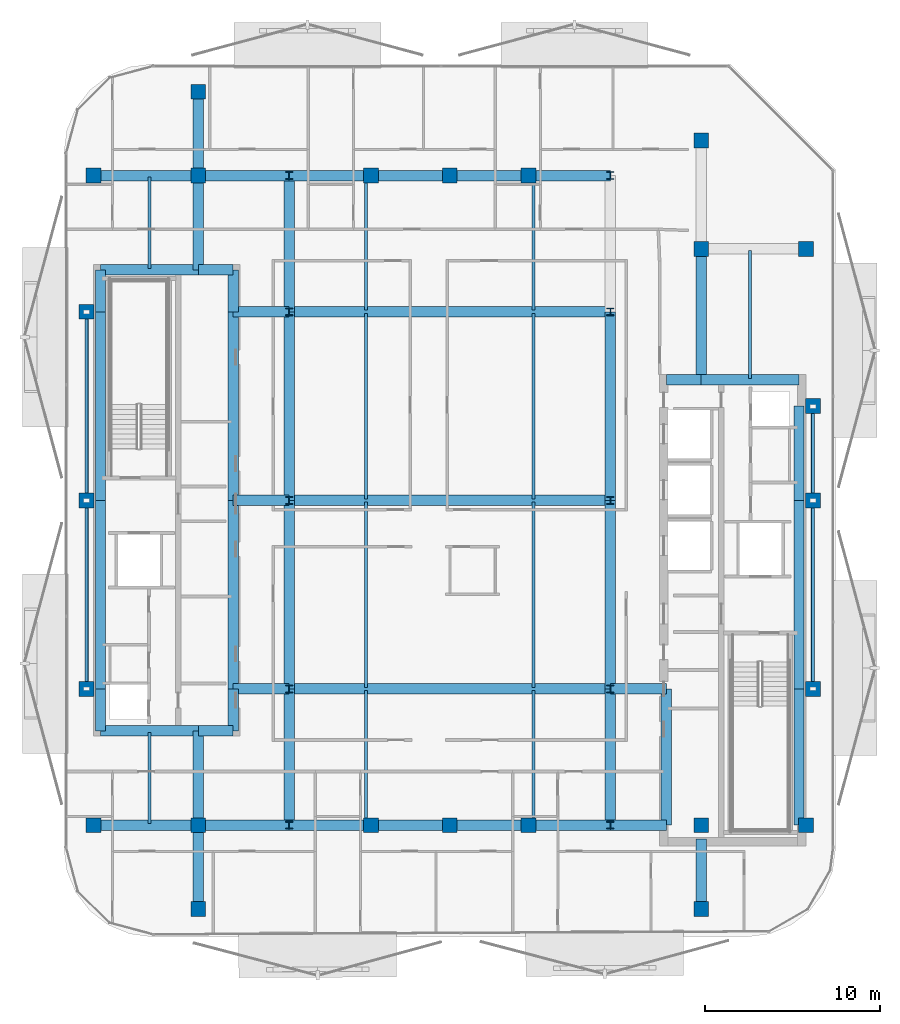
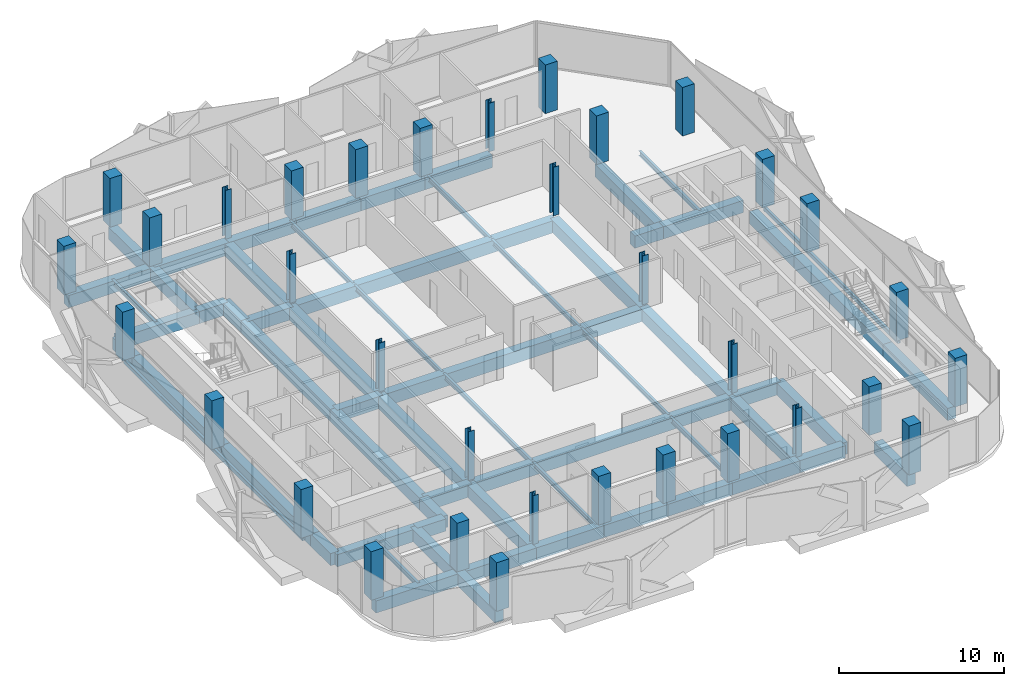
# One storey, part 1 of 16: 66 beams, 34 columns.
"""IFC4 building model written with IfcOpenShell, lengths in metres."""

from ifc_helpers import new_model, si_unit, direction, frame, origin, origin_2d, place, context, subcontext, project, spatial, rectangle, hollow_rectangle, i_section, extrude, material, material_profile, profile_set, type_object, element, save


model = new_model("IFC4")

# Units and contexts
model_context = context("Model", 3, precision=1e-05, world=origin(), true_north=direction((0.0, 1.0)))
body_context = subcontext(model_context, "Body", "Model", "MODEL_VIEW")
ifc_project = project(units=[si_unit("LENGTHUNIT", "METRE"), si_unit("AREAUNIT", "SQUARE_METRE"), si_unit("VOLUMEUNIT", "CUBIC_METRE"), si_unit("PLANEANGLEUNIT", "RADIAN"), si_unit("MASSUNIT", "GRAM", prefix="KILO")], contexts=[model_context])

# Site, building, storey
site_placement = place(None, origin())
site = spatial("IfcSite", under=ifc_project, at=site_placement, CompositionType="ELEMENT")
building_placement = place(site_placement, origin())
building = spatial("IfcBuilding", under=site, at=building_placement, Name="Khairoan Windgate Tower", CompositionType="ELEMENT")
storey_placement = place(building_placement, frame((0.0, 0.0, 247.60009765625)))
storey = spatial("IfcBuildingStorey", under=building, at=storey_placement, Name="L58", CompositionType="ELEMENT", Elevation=247.60009765625)

# Columns
ifc_material_1 = material(Name="Concrete C50/60", Category="concrete")
ifc_material_profile_1 = material_profile(ifc_material_1, rectangle(XDim=0.85009765625, YDim=0.85009765625, at=origin_2d()))
ifc_profile_set_1 = profile_set([ifc_material_profile_1], Name="Concrete C50/60")
column_type_1 = type_object("IfcColumnType", Name="Column C-T5 RC850x850", PredefinedType="COLUMN", material=ifc_profile_set_1)
for number, where, z_axis, x_axis, name in (
    (1, (-20.39990234375, -18.60009765625, 0.0), (0.0, 0.0, 1.0), (1.0, 0.0, 0.0), "Column L58-11"),
    (2, (-20.39990234375, 18.60009765625, 0.0), (0.0, 0.0, 1.0), (1.0, 0.0, 0.0), "Column L58-12"),
    (3, (20.39990234375, -18.60009765625, 0.0), (0.0, 0.0, 1.0), (1.0, 0.0, 0.0), "Column L58-13"),
    (4, (20.39990234375, 14.39990234375, 0.0), (0.0, 0.0, 1.0), (1.0, 0.0, 0.0), "Column L58-14"),
    (5, (-14.39990234375, -18.60009765625, 0.0), (0.0, 0.0, 1.0), (1.0, 0.0, 0.0), "Column L58-15"),
    (6, (-14.39990234375, 18.60009765625, 0.0), (0.0, 0.0, 1.0), (1.0, 0.0, 0.0), "Column L58-16"),
    (7, (14.39990234375, -18.60009765625, 0.0), (0.0, 0.0, 1.0), (1.0, 0.0, 0.0), "Column L58-17"),
    (8, (14.39990234375, 14.39990234375, 0.0), (0.0, 0.0, 1.0), (1.0, 0.0, 0.0), "Column L58-18"),
    (9, (-4.5, -18.60009765625, 0.0), (0.0, 0.0, 1.0), (1.0, 0.0, 0.0), "Column L58-19"),
    (10, (0.0, -18.60009765625, 0.0), (0.0, 0.0, 1.0), (1.0, 0.0, 0.0), "Column L58-20"),
    (11, (4.5, -18.60009765625, 0.0), (0.0, 0.0, 1.0), (1.0, 0.0, 0.0), "Column L58-21"),
    (12, (-4.5, 18.60009765625, 0.0), (0.0, 0.0, 1.0), (1.0, 0.0, 0.0), "Column L58-22"),
    (13, (0.0, 18.60009765625, 0.0), (0.0, 0.0, 1.0), (1.0, 0.0, 0.0), "Column L58-23"),
    (14, (4.5, 18.60009765625, 0.0), (0.0, 0.0, 1.0), (1.0, 0.0, 0.0), "Column L58-24"),
    (15, (-20.800048828125, -10.800048828125, 0.0), (0.0, 0.0, 1.0), (1.0, 0.0, 0.0), "Column L58-25"),
    (16, (-20.800048828125, 0.0, 0.0), (0.0, 0.0, 1.0), (1.0, 0.0, 0.0), "Column L58-26"),
    (17, (-20.800048828125, 10.800048828125, 0.0), (0.0, 0.0, 1.0), (1.0, 0.0, 0.0), "Column L58-27"),
    (18, (20.800048828125, -10.800048828125, 0.0), (0.0, 0.0, 1.0), (1.0, 0.0, 0.0), "Column L58-28"),
    (19, (20.800048828125, 0.0, 0.0), (0.0, 0.0, 1.0), (1.0, 0.0, 0.0), "Column L58-29"),
    (20, (20.800048828125, 5.39990234375, 0.0), (0.0, 0.0, 1.0), (1.0, 0.0, 0.0), "Column L58-30"),
    (21, (-14.39990234375, -23.39990234375, 0.0), (0.0, 0.0, 1.0), (1.0, 0.0, 0.0), "Column L58-31"),
    (22, (-14.39990234375, 23.39990234375, 0.0), (0.0, 0.0, 1.0), (1.0, 0.0, 0.0), "Column L58-32"),
    (23, (14.39990234375, -23.39990234375, 0.0), (0.0, 0.0, 1.0), (1.0, 0.0, 0.0), "Column L58-33"),
    (24, (14.39990234375, 20.60009765625, 0.0), (0.0, 0.0, 1.0), (1.0, 0.0, 0.0), "Column L58-34"),
):
    element("IfcColumn", number, at=place(storey_placement, frame(where, z_axis=z_axis, x_axis=x_axis)), inside=storey, type_object=column_type_1, Name=name, PredefinedType="COLUMN", context=body_context, shape_type="SweptSolid", body=[
        extrude(rectangle(XDim=0.85009765625, YDim=0.85009765625, at=origin_2d()), origin(), (0.0, 0.0, 1.0), 3.599853515625),
    ])
ifc_material_2 = material(Name="Steel S355", Category="steel")
ifc_material_profile_2 = material_profile(ifc_material_2, i_section(OverallWidth=0.406982421875, OverallDepth=0.427978515625, WebThickness=0.02001953125, FlangeThickness=0.034912109375, FilletRadius=0.02197265625, at=origin_2d()))
ifc_profile_set_2 = profile_set([ifc_material_profile_2], Name="Steel S355")
column_type_2 = type_object("IfcColumnType", Name="Steel Column SC3 H428x407x20x35", PredefinedType="COLUMN", material=ifc_profile_set_2)
for number, where, z_axis, x_axis, name in (
    (25, (-9.199951171875, -18.60009765625, 0.0), (0.0, 0.0, 1.0), (1.0, 0.0, 0.0), "Column L58-01"),
    (26, (-9.199951171875, -10.800048828125, 0.0), (0.0, 0.0, 1.0), (1.0, 0.0, 0.0), "Column L58-02"),
    (27, (-9.199951171875, 0.0, 0.0), (0.0, 0.0, 1.0), (1.0, 0.0, 0.0), "Column L58-03"),
    (28, (-9.199951171875, 10.800048828125, 0.0), (0.0, 0.0, 1.0), (1.0, 0.0, 0.0), "Column L58-04"),
    (29, (-9.199951171875, 18.60009765625, 0.0), (0.0, 0.0, 1.0), (1.0, 0.0, 0.0), "Column L58-05"),
    (30, (9.199951171875, -18.60009765625, 0.0), (0.0, 0.0, 1.0), (1.0, 0.0, 0.0), "Column L58-06"),
    (31, (9.199951171875, -10.800048828125, 0.0), (0.0, 0.0, 1.0), (1.0, 0.0, 0.0), "Column L58-07"),
    (32, (9.199951171875, 0.0, 0.0), (0.0, 0.0, 1.0), (1.0, 0.0, 0.0), "Column L58-08"),
    (33, (9.199951171875, 10.800048828125, 0.0), (0.0, 0.0, 1.0), (1.0, 0.0, 0.0), "Column L58-09"),
    (34, (9.199951171875, 18.60009765625, 0.0), (0.0, 0.0, 1.0), (1.0, 0.0, 0.0), "Column L58-10"),
):
    element("IfcColumn", number, at=place(storey_placement, frame(where, z_axis=z_axis, x_axis=x_axis)), inside=storey, type_object=column_type_2, Name=name, PredefinedType="COLUMN", context=body_context, shape_type="SweptSolid", body=[
        extrude(i_section(OverallWidth=0.406982421875, OverallDepth=0.427978515625, WebThickness=0.02001953125, FlangeThickness=0.034912109375, FilletRadius=0.02197265625, at=origin_2d()), origin(), (0.0, 0.0, 1.0), 3.599853515625),
    ])

# Beams
ifc_material_3 = material(Name="Concrete C50/60", Category="concrete")
ifc_material_profile_3 = material_profile(ifc_material_3, rectangle(XDim=0.60009765625, YDim=0.89990234375, at=origin_2d()))
ifc_profile_set_3 = profile_set([ifc_material_profile_3], Name="Concrete C50/60")
beam_type_1 = type_object("IfcBeamType", Name="Beam B-RC1 RC600x900", PredefinedType="BEAM", material=ifc_profile_set_3)
beam_1_placement = place(storey_placement, frame((-20.39990234375, -18.60009765625, -0.710205078125), z_axis=(1.0, 0.0, 0.0), x_axis=(0.0, 1.0, 0.0)))
element("IfcBeam", 35, at=beam_1_placement, inside=storey, type_object=beam_type_1, Name="L58 E-W Primary Girder 01", PredefinedType="BEAM", context=body_context, shape_type="SweptSolid", body=[
    extrude(rectangle(XDim=0.60009765625, YDim=0.89990234375, at=origin_2d()), origin(), (0.0, 0.0, 1.0), 6.0),
])
beam_2_placement = place(storey_placement, frame((-14.39990234375, -18.60009765625, -0.710205078125), z_axis=(1.0, 0.0, 0.0), x_axis=(0.0, 1.0, 0.0)))
element("IfcBeam", 36, at=beam_2_placement, inside=storey, type_object=beam_type_1, Name="L58 E-W Primary Girder 02", PredefinedType="BEAM", context=body_context, shape_type="SweptSolid", body=[
    extrude(rectangle(XDim=0.60009765625, YDim=0.89990234375, at=origin_2d()), origin(), (0.0, 0.0, 1.0), 5.199951171875),
])
beam_3_placement = place(storey_placement, frame((-9.199951171875, -18.60009765625, -0.710205078125), z_axis=(1.0, 0.0, 0.0), x_axis=(0.0, 1.0, 0.0)))
element("IfcBeam", 37, at=beam_3_placement, inside=storey, type_object=beam_type_1, Name="L58 E-W Primary Girder 03", PredefinedType="BEAM", context=body_context, shape_type="SweptSolid", body=[
    extrude(rectangle(XDim=0.60009765625, YDim=0.89990234375, at=origin_2d()), origin(), (0.0, 0.0, 1.0), 4.699951171875),
])
for number, where, z_axis, x_axis, name in (
    (38, (-4.5, -18.60009765625, -0.710205078125), (1.0, 0.0, 0.0), (0.0, 1.0, 0.0), "L58 E-W Primary Girder 04"),
    (39, (0.0, -18.60009765625, -0.710205078125), (1.0, 0.0, 0.0), (0.0, 1.0, 0.0), "L58 E-W Primary Girder 05"),
):
    element("IfcBeam", number, at=place(storey_placement, frame(where, z_axis=z_axis, x_axis=x_axis)), inside=storey, type_object=beam_type_1, Name=name, PredefinedType="BEAM", context=body_context, shape_type="SweptSolid", body=[
        extrude(rectangle(XDim=0.60009765625, YDim=0.89990234375, at=origin_2d()), origin(), (0.0, 0.0, 1.0), 4.5),
    ])
beam_4_placement = place(storey_placement, frame((4.5, -18.60009765625, -0.710205078125), z_axis=(1.0, 0.0, 0.0), x_axis=(0.0, 1.0, 0.0)))
element("IfcBeam", 40, at=beam_4_placement, inside=storey, type_object=beam_type_1, Name="L58 E-W Primary Girder 06", PredefinedType="BEAM", context=body_context, shape_type="SweptSolid", body=[
    extrude(rectangle(XDim=0.60009765625, YDim=0.89990234375, at=origin_2d()), origin(), (0.0, 0.0, 1.0), 4.699951171875),
])
beam_5_placement = place(storey_placement, frame((9.199951171875, -18.60009765625, -0.710205078125), z_axis=(1.0, 0.0, 0.0), x_axis=(0.0, 1.0, 0.0)))
element("IfcBeam", 41, at=beam_5_placement, inside=storey, type_object=beam_type_1, Name="L58 E-W Primary Girder 07", PredefinedType="BEAM", context=body_context, shape_type="SweptSolid", body=[
    extrude(rectangle(XDim=0.60009765625, YDim=0.89990234375, at=origin_2d()), origin(), (0.0, 0.0, 1.0), 3.199951171875),
])
beam_6_placement = place(storey_placement, frame((-20.0, -13.199951171875, -0.710205078125), z_axis=(1.0, 0.0, 0.0), x_axis=(0.0, 1.0, 0.0)))
element("IfcBeam", 42, at=beam_6_placement, inside=storey, type_object=beam_type_1, Name="L58 E-W Primary Girder 08", PredefinedType="BEAM", context=body_context, shape_type="SweptSolid", body=[
    extrude(rectangle(XDim=0.60009765625, YDim=0.89990234375, at=origin_2d()), origin(), (0.0, 0.0, 1.0), 5.60009765625),
])
beam_7_placement = place(storey_placement, frame((-14.39990234375, -13.199951171875, -0.710205078125), z_axis=(1.0, 0.0, 0.0), x_axis=(0.0, 1.0, 0.0)))
element("IfcBeam", 43, at=beam_7_placement, inside=storey, type_object=beam_type_1, Name="L58 E-W Primary Girder 09", PredefinedType="BEAM", context=body_context, shape_type="SweptSolid", body=[
    extrude(rectangle(XDim=0.60009765625, YDim=0.89990234375, at=origin_2d()), origin(), (0.0, 0.0, 1.0), 2.0),
])
beam_8_placement = place(storey_placement, frame((-12.39990234375, -10.800048828125, -0.710205078125), z_axis=(1.0, 0.0, 0.0), x_axis=(0.0, 1.0, 0.0)))
element("IfcBeam", 44, at=beam_8_placement, inside=storey, type_object=beam_type_1, Name="L58 E-W Primary Girder 10", PredefinedType="BEAM", context=body_context, shape_type="SweptSolid", body=[
    extrude(rectangle(XDim=0.60009765625, YDim=0.89990234375, at=origin_2d()), origin(), (0.0, 0.0, 1.0), 3.199951171875),
])
beam_9_placement = place(storey_placement, frame((-9.199951171875, -10.800048828125, -0.710205078125), z_axis=(1.0, 0.0, 0.0), x_axis=(0.0, 1.0, 0.0)))
element("IfcBeam", 45, at=beam_9_placement, inside=storey, type_object=beam_type_1, Name="L58 E-W Primary Girder 11", PredefinedType="BEAM", context=body_context, shape_type="SweptSolid", body=[
    extrude(rectangle(XDim=0.60009765625, YDim=0.89990234375, at=origin_2d()), origin(), (0.0, 0.0, 1.0), 18.39990234375),
])
for number, where, z_axis, x_axis, name in (
    (46, (9.199951171875, -10.800048828125, -0.710205078125), (1.0, 0.0, 0.0), (0.0, 1.0, 0.0), "L58 E-W Primary Girder 12"),
    (47, (-12.39990234375, 0.0, -0.710205078125), (1.0, 0.0, 0.0), (0.0, 1.0, 0.0), "L58 E-W Primary Girder 13"),
):
    element("IfcBeam", number, at=place(storey_placement, frame(where, z_axis=z_axis, x_axis=x_axis)), inside=storey, type_object=beam_type_1, Name=name, PredefinedType="BEAM", context=body_context, shape_type="SweptSolid", body=[
        extrude(rectangle(XDim=0.60009765625, YDim=0.89990234375, at=origin_2d()), origin(), (0.0, 0.0, 1.0), 3.199951171875),
    ])
beam_10_placement = place(storey_placement, frame((-9.199951171875, 0.0, -0.710205078125), z_axis=(1.0, 0.0, 0.0), x_axis=(0.0, 1.0, 0.0)))
element("IfcBeam", 48, at=beam_10_placement, inside=storey, type_object=beam_type_1, Name="L58 E-W Primary Girder 14", PredefinedType="BEAM", context=body_context, shape_type="SweptSolid", body=[
    extrude(rectangle(XDim=0.60009765625, YDim=0.89990234375, at=origin_2d()), origin(), (0.0, 0.0, 1.0), 18.39990234375),
])
beam_11_placement = place(storey_placement, frame((12.39990234375, 6.89990234375, -0.710205078125), z_axis=(1.0, 0.0, 0.0), x_axis=(0.0, 1.0, 0.0)))
element("IfcBeam", 49, at=beam_11_placement, inside=storey, type_object=beam_type_1, Name="L58 E-W Primary Girder 15", PredefinedType="BEAM", context=body_context, shape_type="SweptSolid", body=[
    extrude(rectangle(XDim=0.60009765625, YDim=0.89990234375, at=origin_2d()), origin(), (0.0, 0.0, 1.0), 2.0),
])
beam_12_placement = place(storey_placement, frame((14.39990234375, 6.89990234375, -0.710205078125), z_axis=(1.0, 0.0, 0.0), x_axis=(0.0, 1.0, 0.0)))
element("IfcBeam", 50, at=beam_12_placement, inside=storey, type_object=beam_type_1, Name="L58 E-W Primary Girder 16", PredefinedType="BEAM", context=body_context, shape_type="SweptSolid", body=[
    extrude(rectangle(XDim=0.60009765625, YDim=0.89990234375, at=origin_2d()), origin(), (0.0, 0.0, 1.0), 5.60009765625),
])
beam_13_placement = place(storey_placement, frame((-12.39990234375, 10.800048828125, -0.710205078125), z_axis=(1.0, 0.0, 0.0), x_axis=(0.0, 1.0, 0.0)))
element("IfcBeam", 51, at=beam_13_placement, inside=storey, type_object=beam_type_1, Name="L58 E-W Primary Girder 17", PredefinedType="BEAM", context=body_context, shape_type="SweptSolid", body=[
    extrude(rectangle(XDim=0.60009765625, YDim=0.89990234375, at=origin_2d()), origin(), (0.0, 0.0, 1.0), 3.199951171875),
])
beam_14_placement = place(storey_placement, frame((-9.199951171875, 10.800048828125, -0.710205078125), z_axis=(1.0, 0.0, 0.0), x_axis=(0.0, 1.0, 0.0)))
element("IfcBeam", 52, at=beam_14_placement, inside=storey, type_object=beam_type_1, Name="L58 E-W Primary Girder 18", PredefinedType="BEAM", context=body_context, shape_type="SweptSolid", body=[
    extrude(rectangle(XDim=0.60009765625, YDim=0.89990234375, at=origin_2d()), origin(), (0.0, 0.0, 1.0), 18.39990234375),
])
beam_15_placement = place(storey_placement, frame((-20.0, 13.199951171875, -0.710205078125), z_axis=(1.0, 0.0, 0.0), x_axis=(0.0, 1.0, 0.0)))
element("IfcBeam", 53, at=beam_15_placement, inside=storey, type_object=beam_type_1, Name="L58 E-W Primary Girder 19", PredefinedType="BEAM", context=body_context, shape_type="SweptSolid", body=[
    extrude(rectangle(XDim=0.60009765625, YDim=0.89990234375, at=origin_2d()), origin(), (0.0, 0.0, 1.0), 5.60009765625),
])
beam_16_placement = place(storey_placement, frame((-14.39990234375, 13.199951171875, -0.710205078125), z_axis=(1.0, 0.0, 0.0), x_axis=(0.0, 1.0, 0.0)))
element("IfcBeam", 54, at=beam_16_placement, inside=storey, type_object=beam_type_1, Name="L58 E-W Primary Girder 20", PredefinedType="BEAM", context=body_context, shape_type="SweptSolid", body=[
    extrude(rectangle(XDim=0.60009765625, YDim=0.89990234375, at=origin_2d()), origin(), (0.0, 0.0, 1.0), 2.0),
])
beam_17_placement = place(storey_placement, frame((-20.39990234375, 18.60009765625, -0.710205078125), z_axis=(1.0, 0.0, 0.0), x_axis=(0.0, 1.0, 0.0)))
element("IfcBeam", 55, at=beam_17_placement, inside=storey, type_object=beam_type_1, Name="L58 E-W Primary Girder 22", PredefinedType="BEAM", context=body_context, shape_type="SweptSolid", body=[
    extrude(rectangle(XDim=0.60009765625, YDim=0.89990234375, at=origin_2d()), origin(), (0.0, 0.0, 1.0), 6.0),
])
beam_18_placement = place(storey_placement, frame((-14.39990234375, 18.60009765625, -0.710205078125), z_axis=(1.0, 0.0, 0.0), x_axis=(0.0, 1.0, 0.0)))
element("IfcBeam", 56, at=beam_18_placement, inside=storey, type_object=beam_type_1, Name="L58 E-W Primary Girder 23", PredefinedType="BEAM", context=body_context, shape_type="SweptSolid", body=[
    extrude(rectangle(XDim=0.60009765625, YDim=0.89990234375, at=origin_2d()), origin(), (0.0, 0.0, 1.0), 5.199951171875),
])
beam_19_placement = place(storey_placement, frame((-9.199951171875, 18.60009765625, -0.710205078125), z_axis=(1.0, 0.0, 0.0), x_axis=(0.0, 1.0, 0.0)))
element("IfcBeam", 57, at=beam_19_placement, inside=storey, type_object=beam_type_1, Name="L58 E-W Primary Girder 24", PredefinedType="BEAM", context=body_context, shape_type="SweptSolid", body=[
    extrude(rectangle(XDim=0.60009765625, YDim=0.89990234375, at=origin_2d()), origin(), (0.0, 0.0, 1.0), 4.699951171875),
])
for number, where, z_axis, x_axis, name in (
    (58, (-4.5, 18.60009765625, -0.710205078125), (1.0, 0.0, 0.0), (0.0, 1.0, 0.0), "L58 E-W Primary Girder 25"),
    (59, (0.0, 18.60009765625, -0.710205078125), (1.0, 0.0, 0.0), (0.0, 1.0, 0.0), "L58 E-W Primary Girder 26"),
):
    element("IfcBeam", number, at=place(storey_placement, frame(where, z_axis=z_axis, x_axis=x_axis)), inside=storey, type_object=beam_type_1, Name=name, PredefinedType="BEAM", context=body_context, shape_type="SweptSolid", body=[
        extrude(rectangle(XDim=0.60009765625, YDim=0.89990234375, at=origin_2d()), origin(), (0.0, 0.0, 1.0), 4.5),
    ])
beam_20_placement = place(storey_placement, frame((4.5, 18.60009765625, -0.710205078125), z_axis=(1.0, 0.0, 0.0), x_axis=(0.0, 1.0, 0.0)))
element("IfcBeam", 60, at=beam_20_placement, inside=storey, type_object=beam_type_1, Name="L58 E-W Primary Girder 27", PredefinedType="BEAM", context=body_context, shape_type="SweptSolid", body=[
    extrude(rectangle(XDim=0.60009765625, YDim=0.89990234375, at=origin_2d()), origin(), (0.0, 0.0, 1.0), 4.699951171875),
])
beam_21_placement = place(storey_placement, frame((-20.0, -13.199951171875, -0.710205078125), z_axis=(0.0, 1.0, 0.0), x_axis=(-1.0, 0.0, 0.0)))
element("IfcBeam", 61, at=beam_21_placement, inside=storey, type_object=beam_type_1, Name="L58 N-S Primary Beam 30", PredefinedType="BEAM", context=body_context, shape_type="SweptSolid", body=[
    extrude(rectangle(XDim=0.60009765625, YDim=0.89990234375, at=origin_2d()), origin(), (0.0, 0.0, 1.0), 2.39990234375),
])
for number, where, z_axis, x_axis, name in (
    (62, (-20.0, -10.800048828125, -0.710205078125), (0.0, 1.0, 0.0), (-1.0, 0.0, 0.0), "L58 N-S Primary Beam 31"),
    (63, (-20.0, 0.0, -0.710205078125), (0.0, 1.0, 0.0), (-1.0, 0.0, 0.0), "L58 N-S Primary Beam 32"),
):
    element("IfcBeam", number, at=place(storey_placement, frame(where, z_axis=z_axis, x_axis=x_axis)), inside=storey, type_object=beam_type_1, Name=name, PredefinedType="BEAM", context=body_context, shape_type="SweptSolid", body=[
        extrude(rectangle(XDim=0.60009765625, YDim=0.89990234375, at=origin_2d()), origin(), (0.0, 0.0, 1.0), 10.800048828125),
    ])
beam_22_placement = place(storey_placement, frame((-20.0, 10.800048828125, -0.710205078125), z_axis=(0.0, 1.0, 0.0), x_axis=(-1.0, 0.0, 0.0)))
element("IfcBeam", 64, at=beam_22_placement, inside=storey, type_object=beam_type_1, Name="L58 N-S Primary Beam 33", PredefinedType="BEAM", context=body_context, shape_type="SweptSolid", body=[
    extrude(rectangle(XDim=0.60009765625, YDim=0.89990234375, at=origin_2d()), origin(), (0.0, 0.0, 1.0), 2.39990234375),
])
beam_23_placement = place(storey_placement, frame((-14.39990234375, -23.39990234375, -0.710205078125), z_axis=(0.0, 1.0, 0.0), x_axis=(-1.0, 0.0, 0.0)))
element("IfcBeam", 65, at=beam_23_placement, inside=storey, type_object=beam_type_1, Name="L58 N-S Primary Beam 34", PredefinedType="BEAM", context=body_context, shape_type="SweptSolid", body=[
    extrude(rectangle(XDim=0.60009765625, YDim=0.89990234375, at=origin_2d()), origin(), (0.0, 0.0, 1.0), 4.7998046875),
])
for number, where, z_axis, x_axis, name in (
    (66, (-14.39990234375, -18.60009765625, -0.710205078125), (0.0, 1.0, 0.0), (-1.0, 0.0, 0.0), "L58 N-S Primary Beam 35"),
    (67, (-14.39990234375, 13.199951171875, -0.710205078125), (0.0, 1.0, 0.0), (-1.0, 0.0, 0.0), "L58 N-S Primary Beam 36"),
):
    element("IfcBeam", number, at=place(storey_placement, frame(where, z_axis=z_axis, x_axis=x_axis)), inside=storey, type_object=beam_type_1, Name=name, PredefinedType="BEAM", context=body_context, shape_type="SweptSolid", body=[
        extrude(rectangle(XDim=0.60009765625, YDim=0.89990234375, at=origin_2d()), origin(), (0.0, 0.0, 1.0), 5.400146484375),
    ])
beam_24_placement = place(storey_placement, frame((-14.39990234375, 18.60009765625, -0.710205078125), z_axis=(0.0, 1.0, 0.0), x_axis=(-1.0, 0.0, 0.0)))
element("IfcBeam", 68, at=beam_24_placement, inside=storey, type_object=beam_type_1, Name="L58 N-S Primary Beam 37", PredefinedType="BEAM", context=body_context, shape_type="SweptSolid", body=[
    extrude(rectangle(XDim=0.60009765625, YDim=0.89990234375, at=origin_2d()), origin(), (0.0, 0.0, 1.0), 4.7998046875),
])
beam_25_placement = place(storey_placement, frame((-12.39990234375, -13.199951171875, -0.710205078125), z_axis=(0.0, 1.0, 0.0), x_axis=(-1.0, 0.0, 0.0)))
element("IfcBeam", 69, at=beam_25_placement, inside=storey, type_object=beam_type_1, Name="L58 N-S Primary Beam 38", PredefinedType="BEAM", context=body_context, shape_type="SweptSolid", body=[
    extrude(rectangle(XDim=0.60009765625, YDim=0.89990234375, at=origin_2d()), origin(), (0.0, 0.0, 1.0), 2.39990234375),
])
for number, where, z_axis, x_axis, name in (
    (70, (-12.39990234375, -10.800048828125, -0.710205078125), (0.0, 1.0, 0.0), (-1.0, 0.0, 0.0), "L58 N-S Primary Beam 39"),
    (71, (-12.39990234375, 0.0, -0.710205078125), (0.0, 1.0, 0.0), (-1.0, 0.0, 0.0), "L58 N-S Primary Beam 40"),
):
    element("IfcBeam", number, at=place(storey_placement, frame(where, z_axis=z_axis, x_axis=x_axis)), inside=storey, type_object=beam_type_1, Name=name, PredefinedType="BEAM", context=body_context, shape_type="SweptSolid", body=[
        extrude(rectangle(XDim=0.60009765625, YDim=0.89990234375, at=origin_2d()), origin(), (0.0, 0.0, 1.0), 10.800048828125),
    ])
beam_26_placement = place(storey_placement, frame((-12.39990234375, 10.800048828125, -0.710205078125), z_axis=(0.0, 1.0, 0.0), x_axis=(-1.0, 0.0, 0.0)))
element("IfcBeam", 72, at=beam_26_placement, inside=storey, type_object=beam_type_1, Name="L58 N-S Primary Beam 41", PredefinedType="BEAM", context=body_context, shape_type="SweptSolid", body=[
    extrude(rectangle(XDim=0.60009765625, YDim=0.89990234375, at=origin_2d()), origin(), (0.0, 0.0, 1.0), 2.39990234375),
])
beam_27_placement = place(storey_placement, frame((-9.199951171875, -18.60009765625, -0.710205078125), z_axis=(0.0, 1.0, 0.0), x_axis=(-1.0, 0.0, 0.0)))
element("IfcBeam", 73, at=beam_27_placement, inside=storey, type_object=beam_type_1, Name="L58 N-S Primary Beam 42", PredefinedType="BEAM", context=body_context, shape_type="SweptSolid", body=[
    extrude(rectangle(XDim=0.60009765625, YDim=0.89990234375, at=origin_2d()), origin(), (0.0, 0.0, 1.0), 7.800048828125),
])
for number, where, z_axis, x_axis, name in (
    (74, (-9.199951171875, -10.800048828125, -0.710205078125), (0.0, 1.0, 0.0), (-1.0, 0.0, 0.0), "L58 N-S Primary Beam 43"),
    (75, (-9.199951171875, 0.0, -0.710205078125), (0.0, 1.0, 0.0), (-1.0, 0.0, 0.0), "L58 N-S Primary Beam 44"),
):
    element("IfcBeam", number, at=place(storey_placement, frame(where, z_axis=z_axis, x_axis=x_axis)), inside=storey, type_object=beam_type_1, Name=name, PredefinedType="BEAM", context=body_context, shape_type="SweptSolid", body=[
        extrude(rectangle(XDim=0.60009765625, YDim=0.89990234375, at=origin_2d()), origin(), (0.0, 0.0, 1.0), 10.800048828125),
    ])
for number, where, z_axis, x_axis, name in (
    (76, (-9.199951171875, 10.800048828125, -0.710205078125), (0.0, 1.0, 0.0), (-1.0, 0.0, 0.0), "L58 N-S Primary Beam 45"),
    (77, (9.199951171875, -18.60009765625, -0.710205078125), (0.0, 1.0, 0.0), (-1.0, 0.0, 0.0), "L58 N-S Primary Beam 46"),
):
    element("IfcBeam", number, at=place(storey_placement, frame(where, z_axis=z_axis, x_axis=x_axis)), inside=storey, type_object=beam_type_1, Name=name, PredefinedType="BEAM", context=body_context, shape_type="SweptSolid", body=[
        extrude(rectangle(XDim=0.60009765625, YDim=0.89990234375, at=origin_2d()), origin(), (0.0, 0.0, 1.0), 7.800048828125),
    ])
for number, where, z_axis, x_axis, name in (
    (78, (9.199951171875, -10.800048828125, -0.710205078125), (0.0, 1.0, 0.0), (-1.0, 0.0, 0.0), "L58 N-S Primary Beam 47"),
    (79, (9.199951171875, 0.0, -0.710205078125), (0.0, 1.0, 0.0), (-1.0, 0.0, 0.0), "L58 N-S Primary Beam 48"),
):
    element("IfcBeam", number, at=place(storey_placement, frame(where, z_axis=z_axis, x_axis=x_axis)), inside=storey, type_object=beam_type_1, Name=name, PredefinedType="BEAM", context=body_context, shape_type="SweptSolid", body=[
        extrude(rectangle(XDim=0.60009765625, YDim=0.89990234375, at=origin_2d()), origin(), (0.0, 0.0, 1.0), 10.800048828125),
    ])
beam_28_placement = place(storey_placement, frame((12.39990234375, -18.60009765625, -0.710205078125), z_axis=(0.0, 1.0, 0.0), x_axis=(-1.0, 0.0, 0.0)))
element("IfcBeam", 80, at=beam_28_placement, inside=storey, type_object=beam_type_1, Name="L58 N-S Primary Beam 50", PredefinedType="BEAM", context=body_context, shape_type="SweptSolid", body=[
    extrude(rectangle(XDim=0.60009765625, YDim=0.89990234375, at=origin_2d()), origin(), (0.0, 0.0, 1.0), 7.800048828125),
])
beam_29_placement = place(storey_placement, frame((14.39990234375, -23.39990234375, -0.710205078125), z_axis=(0.0, 1.0, 0.0), x_axis=(-1.0, 0.0, 0.0)))
element("IfcBeam", 81, at=beam_29_placement, inside=storey, type_object=beam_type_1, Name="L58 N-S Primary Beam 51", PredefinedType="BEAM", context=body_context, shape_type="SweptSolid", body=[
    extrude(rectangle(XDim=0.60009765625, YDim=0.89990234375, at=origin_2d()), origin(), (0.0, 0.0, 1.0), 4.0),
])
beam_30_placement = place(storey_placement, frame((14.39990234375, 6.89990234375, -0.710205078125), z_axis=(0.0, 1.0, 0.0), x_axis=(-1.0, 0.0, 0.0)))
element("IfcBeam", 82, at=beam_30_placement, inside=storey, type_object=beam_type_1, Name="L58 N-S Primary Beam 52", PredefinedType="BEAM", context=body_context, shape_type="SweptSolid", body=[
    extrude(rectangle(XDim=0.60009765625, YDim=0.89990234375, at=origin_2d()), origin(), (0.0, 0.0, 1.0), 7.5),
])
beam_31_placement = place(storey_placement, frame((20.0, -18.60009765625, -0.710205078125), z_axis=(0.0, 1.0, 0.0), x_axis=(-1.0, 0.0, 0.0)))
element("IfcBeam", 83, at=beam_31_placement, inside=storey, type_object=beam_type_1, Name="L58 N-S Primary Beam 54", PredefinedType="BEAM", context=body_context, shape_type="SweptSolid", body=[
    extrude(rectangle(XDim=0.60009765625, YDim=0.89990234375, at=origin_2d()), origin(), (0.0, 0.0, 1.0), 7.800048828125),
])
beam_32_placement = place(storey_placement, frame((20.0, -10.800048828125, -0.710205078125), z_axis=(0.0, 1.0, 0.0), x_axis=(-1.0, 0.0, 0.0)))
element("IfcBeam", 84, at=beam_32_placement, inside=storey, type_object=beam_type_1, Name="L58 N-S Primary Beam 55", PredefinedType="BEAM", context=body_context, shape_type="SweptSolid", body=[
    extrude(rectangle(XDim=0.60009765625, YDim=0.89990234375, at=origin_2d()), origin(), (0.0, 0.0, 1.0), 10.800048828125),
])
beam_33_placement = place(storey_placement, frame((20.0, 0.0, -0.710205078125), z_axis=(0.0, 1.0, 0.0), x_axis=(-1.0, 0.0, 0.0)))
element("IfcBeam", 85, at=beam_33_placement, inside=storey, type_object=beam_type_1, Name="L58 N-S Primary Beam 56", PredefinedType="BEAM", context=body_context, shape_type="SweptSolid", body=[
    extrude(rectangle(XDim=0.60009765625, YDim=0.89990234375, at=origin_2d()), origin(), (0.0, 0.0, 1.0), 5.39990234375),
])
ifc_material_4 = material(Name="Steel S355", Category="steel")
ifc_material_profile_4 = material_profile(ifc_material_4, i_section(OverallWidth=0.175048828125, OverallDepth=0.35009765625, WebThickness=0.007080078125, FlangeThickness=0.010986328125, FilletRadius=0.013916015625, at=origin_2d()))
ifc_profile_set_4 = profile_set([ifc_material_profile_4], Name="Steel S355")
beam_type_2 = type_object("IfcBeamType", Name="Beam J-S5 H350x175x7x11", PredefinedType="JOIST", material=ifc_profile_set_4)
for number, where, z_axis, x_axis, name in (
    (86, (-17.199951171875, -18.510009765625, -0.43505859375), (0.0, 1.0, 0.0), (-1.0, 0.0, 0.0), "L58 Secondary Floor Joist 01"),
    (87, (-17.199951171875, 13.2900390625, -0.43505859375), (0.0, 1.0, 0.0), (-1.0, 0.0, 0.0), "L58 Secondary Floor Joist 02"),
):
    element("IfcBeam", number, at=place(storey_placement, frame(where, z_axis=z_axis, x_axis=x_axis)), inside=storey, type_object=beam_type_2, Name=name, PredefinedType="JOIST", context=body_context, shape_type="SweptSolid", body=[
        extrude(i_section(OverallWidth=0.175048828125, OverallDepth=0.35009765625, WebThickness=0.007080078125, FlangeThickness=0.010986328125, FilletRadius=0.013916015625, at=origin_2d()), origin(), (0.0, 0.0, 1.0), 5.219970703125),
    ])
beam_34_placement = place(storey_placement, frame((-4.800048828125, -18.510009765625, -0.43505859375), z_axis=(0.0, 1.0, 0.0), x_axis=(-1.0, 0.0, 0.0)))
element("IfcBeam", 88, at=beam_34_placement, inside=storey, type_object=beam_type_2, Name="L58 Secondary Floor Joist 03", PredefinedType="JOIST", context=body_context, shape_type="SweptSolid", body=[
    extrude(i_section(OverallWidth=0.175048828125, OverallDepth=0.35009765625, WebThickness=0.007080078125, FlangeThickness=0.010986328125, FilletRadius=0.013916015625, at=origin_2d()), origin(), (0.0, 0.0, 1.0), 7.6201171875),
])
for number, where, z_axis, x_axis, name in (
    (89, (-4.800048828125, -10.7099609375, -0.43505859375), (0.0, 1.0, 0.0), (-1.0, 0.0, 0.0), "L58 Secondary Floor Joist 04"),
    (90, (-4.800048828125, 0.090087890625, -0.43505859375), (0.0, 1.0, 0.0), (-1.0, 0.0, 0.0), "L58 Secondary Floor Joist 05"),
):
    element("IfcBeam", number, at=place(storey_placement, frame(where, z_axis=z_axis, x_axis=x_axis)), inside=storey, type_object=beam_type_2, Name=name, PredefinedType="JOIST", context=body_context, shape_type="SweptSolid", body=[
        extrude(i_section(OverallWidth=0.175048828125, OverallDepth=0.35009765625, WebThickness=0.007080078125, FlangeThickness=0.010986328125, FilletRadius=0.013916015625, at=origin_2d()), origin(), (0.0, 0.0, 1.0), 10.619873046875),
    ])
for number, where, z_axis, x_axis, name in (
    (91, (-4.800048828125, 10.889892578125, -0.43505859375), (0.0, 1.0, 0.0), (-1.0, 0.0, 0.0), "L58 Secondary Floor Joist 06"),
    (92, (4.800048828125, -18.510009765625, -0.43505859375), (0.0, 1.0, 0.0), (-1.0, 0.0, 0.0), "L58 Secondary Floor Joist 07"),
):
    element("IfcBeam", number, at=place(storey_placement, frame(where, z_axis=z_axis, x_axis=x_axis)), inside=storey, type_object=beam_type_2, Name=name, PredefinedType="JOIST", context=body_context, shape_type="SweptSolid", body=[
        extrude(i_section(OverallWidth=0.175048828125, OverallDepth=0.35009765625, WebThickness=0.007080078125, FlangeThickness=0.010986328125, FilletRadius=0.013916015625, at=origin_2d()), origin(), (0.0, 0.0, 1.0), 7.6201171875),
    ])
for number, where, z_axis, x_axis, name in (
    (93, (4.800048828125, -10.7099609375, -0.43505859375), (0.0, 1.0, 0.0), (-1.0, 0.0, 0.0), "L58 Secondary Floor Joist 08"),
    (94, (4.800048828125, 0.090087890625, -0.43505859375), (0.0, 1.0, 0.0), (-1.0, 0.0, 0.0), "L58 Secondary Floor Joist 09"),
):
    element("IfcBeam", number, at=place(storey_placement, frame(where, z_axis=z_axis, x_axis=x_axis)), inside=storey, type_object=beam_type_2, Name=name, PredefinedType="JOIST", context=body_context, shape_type="SweptSolid", body=[
        extrude(i_section(OverallWidth=0.175048828125, OverallDepth=0.35009765625, WebThickness=0.007080078125, FlangeThickness=0.010986328125, FilletRadius=0.013916015625, at=origin_2d()), origin(), (0.0, 0.0, 1.0), 10.619873046875),
    ])
beam_35_placement = place(storey_placement, frame((4.800048828125, 10.889892578125, -0.43505859375), z_axis=(0.0, 1.0, 0.0), x_axis=(-1.0, 0.0, 0.0)))
element("IfcBeam", 95, at=beam_35_placement, inside=storey, type_object=beam_type_2, Name="L58 Secondary Floor Joist 10", PredefinedType="JOIST", context=body_context, shape_type="SweptSolid", body=[
    extrude(i_section(OverallWidth=0.175048828125, OverallDepth=0.35009765625, WebThickness=0.007080078125, FlangeThickness=0.010986328125, FilletRadius=0.013916015625, at=origin_2d()), origin(), (0.0, 0.0, 1.0), 7.6201171875),
])
beam_36_placement = place(storey_placement, frame((17.199951171875, 6.989990234375, -0.43505859375), z_axis=(0.0, 1.0, 0.0), x_axis=(-1.0, 0.0, 0.0)))
element("IfcBeam", 96, at=beam_36_placement, inside=storey, type_object=beam_type_2, Name="L58 Secondary Floor Joist 11", PredefinedType="JOIST", context=body_context, shape_type="SweptSolid", body=[
    extrude(i_section(OverallWidth=0.175048828125, OverallDepth=0.35009765625, WebThickness=0.007080078125, FlangeThickness=0.010986328125, FilletRadius=0.013916015625, at=origin_2d()), origin(), (0.0, 0.0, 1.0), 7.320068359375),
])
ifc_material_5 = material(Name="Steel S355", Category="steel")
ifc_material_profile_5 = material_profile(ifc_material_5, hollow_rectangle(XDim=0.199951171875, YDim=0.300048828125, WallThickness=0.012451171875, InnerFilletRadius=0.012451171875, OuterFilletRadius=0.02490234375, at=origin_2d()))
ifc_profile_set_5 = profile_set([ifc_material_profile_5], Name="Steel S355")
beam_type_3 = type_object("IfcBeamType", Name="Beam SP-B3 RHS300x200x12.5", PredefinedType="SPANDREL", material=ifc_profile_set_5)
for number, where, z_axis, x_axis, name in (
    (97, (-20.800048828125, -10.800048828125, -0.41015625), (0.0, 1.0, 0.0), (-1.0, 0.0, 0.0), "L58 Spandrel Beam 28"),
    (98, (-20.800048828125, 0.0, -0.41015625), (0.0, 1.0, 0.0), (-1.0, 0.0, 0.0), "L58 Spandrel Beam 29"),
    (99, (20.800048828125, -10.800048828125, -0.41015625), (0.0, 1.0, 0.0), (-1.0, 0.0, 0.0), "L58 Spandrel Beam 57"),
):
    element("IfcBeam", number, at=place(storey_placement, frame(where, z_axis=z_axis, x_axis=x_axis)), inside=storey, type_object=beam_type_3, Name=name, PredefinedType="SPANDREL", context=body_context, shape_type="SweptSolid", body=[
        extrude(hollow_rectangle(XDim=0.199951171875, YDim=0.300048828125, WallThickness=0.012451171875, InnerFilletRadius=0.012451171875, OuterFilletRadius=0.02490234375, at=origin_2d()), origin(), (0.0, 0.0, 1.0), 10.800048828125),
    ])
beam_37_placement = place(storey_placement, frame((20.800048828125, 0.0, -0.41015625), z_axis=(0.0, 1.0, 0.0), x_axis=(-1.0, 0.0, 0.0)))
element("IfcBeam", 100, at=beam_37_placement, inside=storey, type_object=beam_type_3, Name="L58 Spandrel Beam 58", PredefinedType="SPANDREL", context=body_context, shape_type="SweptSolid", body=[
    extrude(hollow_rectangle(XDim=0.199951171875, YDim=0.300048828125, WallThickness=0.012451171875, InnerFilletRadius=0.012451171875, OuterFilletRadius=0.02490234375, at=origin_2d()), origin(), (0.0, 0.0, 1.0), 5.39990234375),
])

save(model, "model.ifc")
